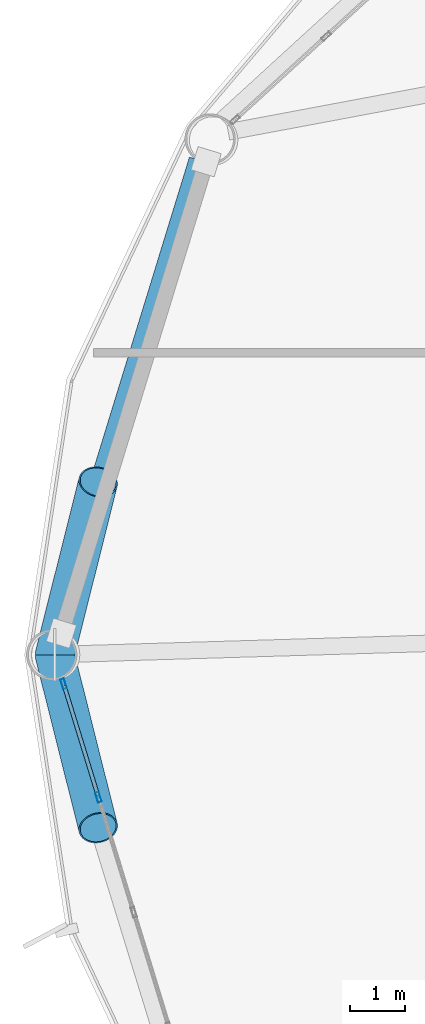
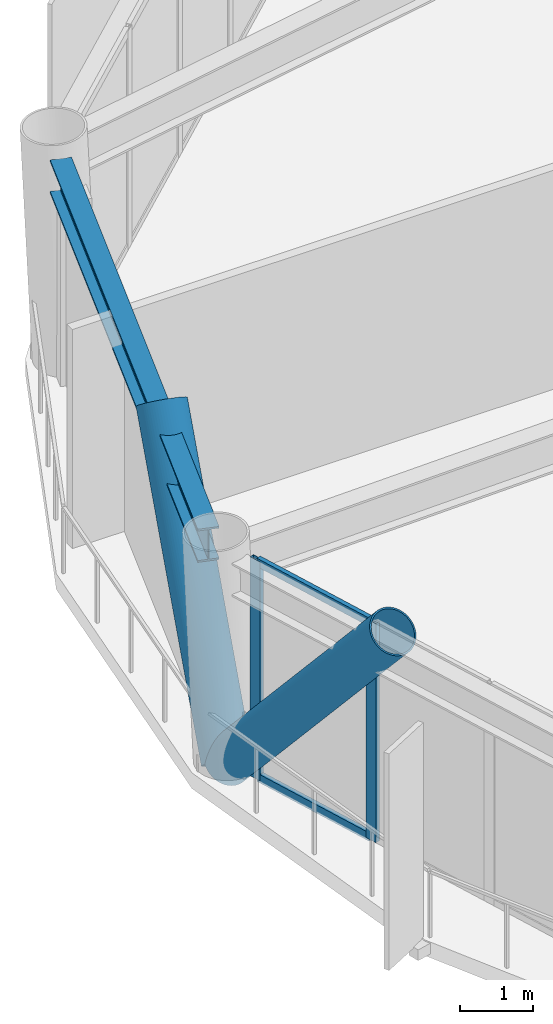
# One storey, part 10 of 25: 6 members, 1 beam, 1 element without a shape of its own.
"""IFC4 building model written with IfcOpenShell, lengths in metres."""

from ifc_helpers import new_model, si_unit, direction, frame, origin, origin_2d, place, context, subcontext, project, spatial, hollow_rectangle, hollow_circle, i_section, extrude, material, layer, layer_set, material_profile, profile_set, type_object, element, aggregate, save


model = new_model("IFC4")

# Units and contexts
model_context = context("Model", 3, precision=1e-05, world=origin(), true_north=direction((0.0, 1.0)))
body_context = subcontext(model_context, "Body", "Model", "MODEL_VIEW")
ifc_project = project(units=[si_unit("LENGTHUNIT", "METRE"), si_unit("AREAUNIT", "SQUARE_METRE"), si_unit("VOLUMEUNIT", "CUBIC_METRE"), si_unit("PLANEANGLEUNIT", "RADIAN"), si_unit("MASSUNIT", "GRAM", prefix="KILO")], contexts=[model_context])

# Site, building, storey
site_placement = place(None, origin())
site = spatial("IfcSite", under=ifc_project, at=site_placement, CompositionType="ELEMENT")
building_placement = place(site_placement, origin())
building = spatial("IfcBuilding", under=site, at=building_placement, Name="Varnakorn Sky Granary", CompositionType="ELEMENT")
storey_placement = place(building_placement, frame((0.0, 0.0, 39.300048828125)))
storey = spatial("IfcBuildingStorey", under=building, at=storey_placement, Name="L09", CompositionType="ELEMENT", Elevation=39.300048828125)

# Beam
ifc_material_1 = material(Name="Steel S355JR", Category="steel")
ifc_material_profile_1 = material_profile(ifc_material_1, i_section(OverallWidth=0.300048828125, OverallDepth=0.550048828125, WebThickness=0.014892578125, FlangeThickness=0.029052734375, at=origin_2d()), Name="HE 550 B")
ifc_profile_set_1 = profile_set([ifc_material_profile_1], Name="Steel S355JR")
beam_type = type_object("IfcBeamType", Name="BM-SPD-Z1", PredefinedType="SPANDREL", material=ifc_profile_set_1)
beam_placement = place(storey_placement, frame((-19.510498046875, 9.01953125, 3.364990234375), z_axis=(-0.293719576527, -0.955891631078, 0.0), x_axis=(0.955891631078, -0.293719576527, 0.0)))
element("IfcBeam", 1, at=beam_placement, inside=storey, type_object=beam_type, Name="Perimeter Spandrel Ring Beam RB06 L09", PredefinedType="SPANDREL", context=body_context, shape_type="SweptSolid", body=[
    extrude(i_section(OverallWidth=0.300048828125, OverallDepth=0.550048828125, WebThickness=0.014892578125, FlangeThickness=0.029052734375, at=origin_2d()), origin(), (0.0, 0.0, 1.0), 8.99365234375),
])

# Curtain wall, members
ifc_material_2 = material(Name="Anodised Bronze Aluminium Alloy 6063-T6", Category="aluminium")
ifc_layer = layer(ifc_material_2, 0.18994140625, Name="Anodised Bronze Aluminium Alloy 6063-T6")
ifc_layer_set = layer_set([ifc_layer], Name="Anodised Bronze Aluminium Alloy 6063-T6")
curtain_wall_type = type_object("IfcCurtainWallType", Name="CW-FRM-1", PredefinedType="USERDEFINED", material=ifc_layer_set)
curtain_wall_placement = place(storey_placement, origin())
curtain_wall = element("IfcCurtainWall", 2, at=curtain_wall_placement, inside=storey, type_object=curtain_wall_type, Name="Unitised Curtain Wall CW3 CW-L09-B07", ObjectType="CURTAIN WALL", PredefinedType="USERDEFINED")
ifc_material_profile_2 = material_profile(ifc_material_2, hollow_rectangle(XDim=0.070068359375, YDim=0.18505859375, WallThickness=0.00390625, at=origin_2d()), Name="ALU MULL 70x185")
ifc_profile_set_2 = profile_set([ifc_material_profile_2], Name="Anodised Bronze Aluminium Alloy 6063-T6")
member_type_1 = type_object("IfcMemberType", Name="CW-FRM-1-MULL", PredefinedType="MULLION", material=ifc_profile_set_2)
member_1_placement = place(storey_placement, frame((-21.310791015625, -2.590576171875, 0.0), z_axis=(0.0, 0.0, 1.0), x_axis=(-0.955970574446, -0.293462537291, 0.0)))
member_1 = element("IfcMember", 3, at=member_1_placement, type_object=member_type_1, Name="CW3 mullion 4", PredefinedType="MULLION", context=body_context, shape_type="SweptSolid", body=[
    extrude(hollow_rectangle(XDim=0.070068359375, YDim=0.18505859375, WallThickness=0.00390625, at=origin_2d()), origin(), (0.0, 0.0, 1.0), 3.639892578125),
])
member_2_placement = place(storey_placement, frame((-21.944091796875, -0.527587890625, 0.0), z_axis=(0.0, 0.0, 1.0), x_axis=(-0.955970574446, -0.293462537291, 0.0)))
member_2 = element("IfcMember", 4, at=member_2_placement, type_object=member_type_1, Name="CW3 mullion 5", PredefinedType="MULLION", context=body_context, shape_type="SweptSolid", body=[
    extrude(hollow_rectangle(XDim=0.070068359375, YDim=0.18505859375, WallThickness=0.00390625, at=origin_2d()), origin(), (0.0, 0.0, 1.0), 3.639892578125),
])
ifc_material_profile_3 = material_profile(ifc_material_2, hollow_rectangle(XDim=0.070068359375, YDim=0.139892578125, WallThickness=0.00341796875, at=origin_2d()), Name="ALU TRAN 70x140")
ifc_profile_set_3 = profile_set([ifc_material_profile_3], Name="Anodised Bronze Aluminium Alloy 6063-T6")
member_type_2 = type_object("IfcMemberType", Name="CW-FRM-1-TRAN", PredefinedType="USERDEFINED", material=ifc_profile_set_3)
member_3_placement = place(storey_placement, frame((-21.321044921875, -2.55712890625, 0.034912109375), z_axis=(-0.293477787544, 0.955965892811, 0.0), x_axis=(-0.955965892811, -0.293477787544, 0.0)))
member_3 = element("IfcMember", 5, at=member_3_placement, type_object=member_type_2, Name="CW3 transom 4.1", ObjectType="TRANSOM", PredefinedType="USERDEFINED", context=body_context, shape_type="SweptSolid", body=[
    extrude(hollow_rectangle(XDim=0.070068359375, YDim=0.139892578125, WallThickness=0.00341796875, at=origin_2d()), origin(), (0.0, 0.0, 1.0), 2.088134765625),
])
member_4_placement = place(storey_placement, frame((-21.321044921875, -2.55712890625, 3.60498046875), z_axis=(-0.293477787544, 0.955965892811, 0.0), x_axis=(-0.955965892811, -0.293477787544, 0.0)))
member_4 = element("IfcMember", 6, at=member_4_placement, type_object=member_type_2, Name="CW3 transom 4.2", ObjectType="TRANSOM", PredefinedType="USERDEFINED", context=body_context, shape_type="SweptSolid", body=[
    extrude(hollow_rectangle(XDim=0.070068359375, YDim=0.139892578125, WallThickness=0.00341796875, at=origin_2d()), origin(), (0.0, 0.0, 1.0), 2.088134765625),
])
aggregate(curtain_wall, [member_1, member_2, member_3, member_4])

# Members
ifc_material_3 = material(Name="Steel S460M", Category="steel")
ifc_material_profile_4 = material_profile(ifc_material_3, hollow_circle(Radius=0.35546875, WallThickness=0.02490234375, at=origin_2d()), Name="CHS 711x25")
ifc_profile_set_4 = profile_set([ifc_material_profile_4], Name="Steel S460M")
member_type_3 = type_object("IfcMemberType", Name="MB-DIAG-T0", PredefinedType="BRACE", material=ifc_profile_set_4)
for number, where, z_axis, x_axis, name in (
    (7, (-22.10595703125, 0.0, 0.0), (0.158536161733, 0.630768413858, 0.759603510723), (-0.969836371313, 0.243756872473, 0.0), "Perimeter CHS Diagrid Brace DG06 L09"),
    (8, (-22.10595703125, 0.0, 0.0), (0.158536161733, -0.630768413858, 0.759603510723), (0.969836371313, 0.243756872473, 0.0), "Perimeter CHS Diagrid Brace DG07 L09"),
):
    element("IfcMember", number, at=place(storey_placement, frame(where, z_axis=z_axis, x_axis=x_axis)), inside=storey, type_object=member_type_3, Name=name, PredefinedType="BRACE", context=body_context, shape_type="SweptSolid", body=[
        extrude(hollow_circle(Radius=0.35546875, WallThickness=0.02490234375, at=origin_2d()), origin(), (0.0, 0.0, 1.0), 4.989501953125),
    ])

save(model, "model.ifc")
